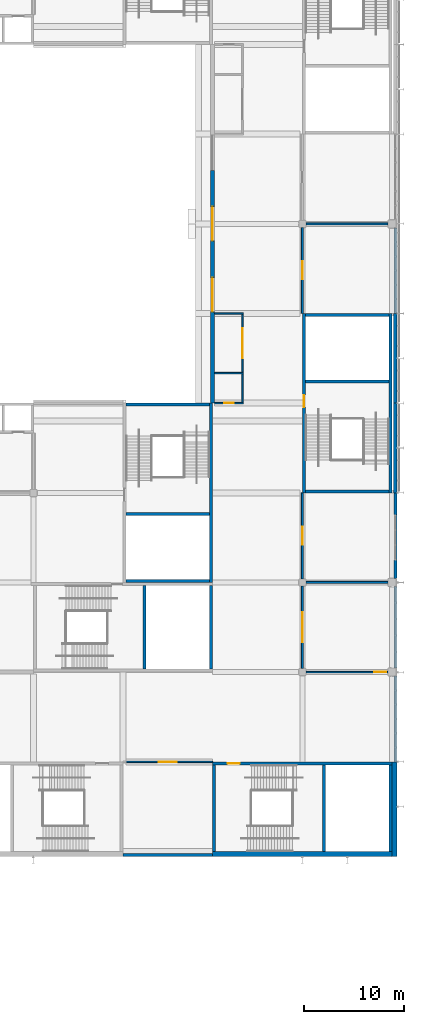
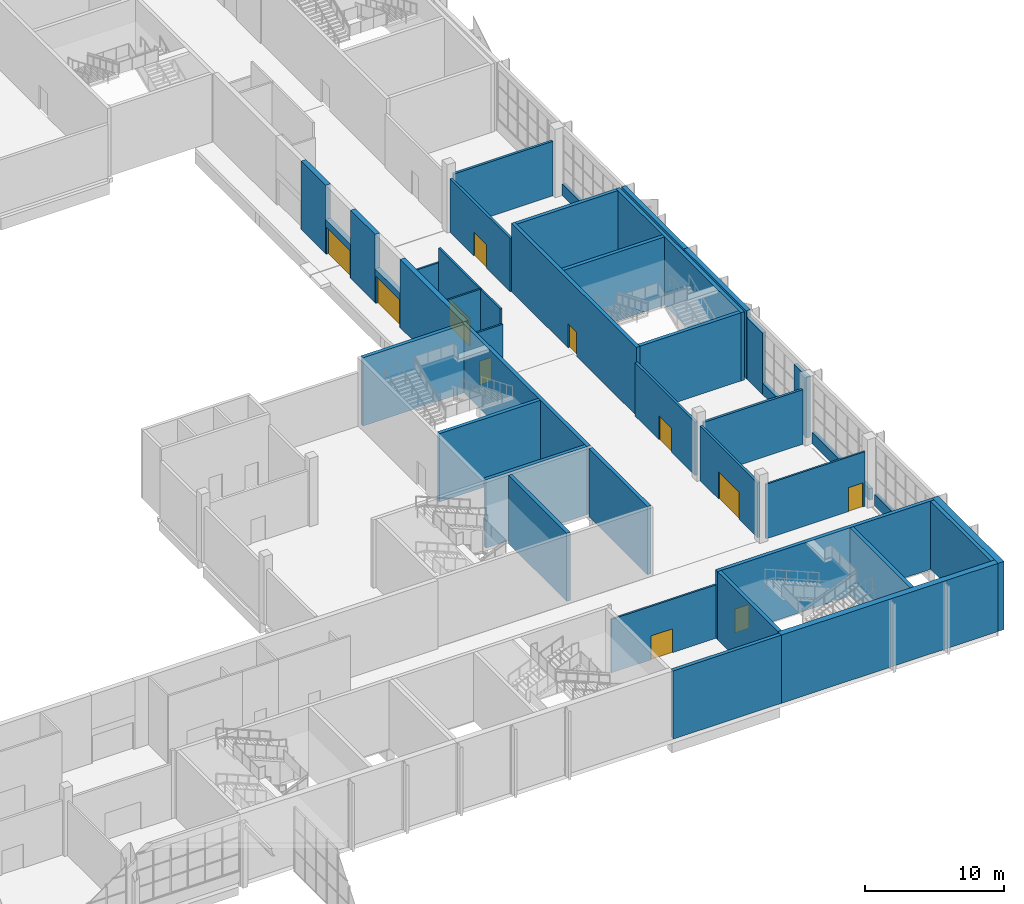
# One storey, part 45 of 89: 43 walls, 11 doors, 11 openings.
"""IFC4 building model written with IfcOpenShell, lengths in metres."""

import ifcopenshell
import ifcopenshell.guid

model = None  # the IFC model being written
_history = None  # IfcOwnerHistory: only IFC2X3 demands one
_inside = {}  # id of a spatial element -> (the spatial element, [elements in it])
_under = {}  # id of a project, library or spatial element -> (it, [spatial elements below it])
_declared = {}  # id of a project -> (the project, [libraries it declares])
_typed = {}  # id of a type object -> (the type object, [elements of that type])
_made_of = {}  # id of a material, layer set ... -> (it, [elements and type objects made of it])


def new_model(schema):
    """Start an empty IFC model of exactly this schema.

    Asked for "IFC4X3", IfcOpenShell would pick the latest addendum, in which some entities
    have other attributes; the version numbers below select the first issue.
    IFC2X3 requires an IfcOwnerHistory on every rooted entity: one is made here for all.
    """
    global model, _history
    if schema == "IFC4X3":
        model = ifcopenshell.file(schema_version=(4, 3, 0, 0))
    else:
        model = ifcopenshell.file(schema=schema)
    _inside.clear()
    _under.clear()
    _declared.clear()
    _typed.clear()
    _made_of.clear()
    _history = None
    if model.schema == "IFC2X3":
        org = make("IfcOrganization", Name="unknown")
        user = make(
            "IfcPersonAndOrganization",
            ThePerson=make("IfcPerson", FamilyName="unknown"),
            TheOrganization=org,
        )
        app = make(
            "IfcApplication",
            ApplicationDeveloper=org,
            Version="unknown",
            ApplicationFullName="unknown",
            ApplicationIdentifier="unknown",
        )
        _history = make(
            "IfcOwnerHistory",
            OwningUser=user,
            OwningApplication=app,
            ChangeAction="ADDED",
            CreationDate=0,
        )
    return model


def make(cls, **values):
    """One entity of the class cls with the attributes given. An attribute that is None is left unset."""
    return model.create_entity(
        cls, **{name: value for name, value in values.items() if value is not None}
    )


def rooted(cls, **values):
    """An entity with a GlobalId (a new one), such as an element, a storey or a relation."""
    return make(cls, GlobalId=ifcopenshell.guid.new(), OwnerHistory=_history, **values)


def si_unit(unit_type, name, prefix=None):
    """IfcSIUnit, for example si_unit("LENGTHUNIT", "METRE", prefix="MILLI")."""
    return make("IfcSIUnit", UnitType=unit_type, Prefix=prefix, Name=name)


def assignment(units):
    """IfcUnitAssignment: the units of a project."""
    return None if units is None else make("IfcUnitAssignment", Units=units)


def point(xyz):
    """IfcCartesianPoint."""
    return None if xyz is None else make("IfcCartesianPoint", Coordinates=xyz)


def direction(xyz):
    """IfcDirection."""
    return None if xyz is None else make("IfcDirection", DirectionRatios=xyz)


def frame(location, z_axis=None, x_axis=None):
    """IfcAxis2Placement3D, a coordinate frame: its origin and axes. An axis left out is left unset."""
    return make(
        "IfcAxis2Placement3D",
        Location=point(location),
        Axis=direction(z_axis),
        RefDirection=direction(x_axis),
    )


def frame_2d(location, x_axis=None):
    """IfcAxis2Placement2D, a coordinate frame in the plane: its origin and x axis."""
    return make(
        "IfcAxis2Placement2D", Location=point(location), RefDirection=direction(x_axis)
    )


def origin():
    """The frame at (0, 0, 0) with its axes left unset."""
    return frame((0.0, 0.0, 0.0))


def place(relative_to, where):
    """IfcLocalPlacement: puts the frame where relative to a parent placement (None: the world)."""
    return make(
        "IfcLocalPlacement", PlacementRelTo=relative_to, RelativePlacement=where
    )


def context(
    kind, dimensions, precision=None, world=None, true_north=None, identifier=None
):
    """IfcGeometricRepresentationContext, for example the 3D "Model" context."""
    return make(
        "IfcGeometricRepresentationContext",
        ContextIdentifier=identifier,
        ContextType=kind,
        CoordinateSpaceDimension=dimensions,
        Precision=precision,
        WorldCoordinateSystem=world,
        TrueNorth=true_north,
    )


def subcontext(parent, identifier, kind, view, scale=None):
    """IfcGeometricRepresentationSubContext, for example "Body" below "Model"."""
    return make(
        "IfcGeometricRepresentationSubContext",
        ContextIdentifier=identifier,
        ContextType=kind,
        ParentContext=parent,
        TargetScale=scale,
        TargetView=view,
    )


def project(units=None, contexts=None):
    """IfcProject with its units and contexts."""
    return rooted(
        "IfcProject",
        Name="project",
        RepresentationContexts=contexts,
        UnitsInContext=assignment(units),
    )


def spatial(cls, under=None, at=None, **own):
    """A site, building, storey or space (cls), placed at a placement, below another one or the project."""
    s = rooted(cls, ObjectPlacement=at, **own)
    if under is not None:
        _under.setdefault(under.id(), (under, []))[1].append(s)
    return s


def profile(cls, at=None, kind="AREA", **sizes):
    """A parametric profile (cls). Its sizes go by their IFC names, for example OverallWidth=200.0."""
    return make(cls, ProfileType=kind, Position=at, **sizes)


def rectangle(**sizes):
    """IfcRectangleProfileDef."""
    return profile("IfcRectangleProfileDef", **sizes)


def extrude(swept, where, along, depth):
    """IfcExtrudedAreaSolid: the profile swept, set in the frame where, extruded along a direction by depth."""
    return make(
        "IfcExtrudedAreaSolid",
        SweptArea=swept,
        Position=where,
        ExtrudedDirection=direction(along),
        Depth=depth,
    )


def shape(context_of_items, identifier, shape_type, items):
    """IfcShapeRepresentation: the items that make up one representation, for example the "Body"."""
    return make(
        "IfcShapeRepresentation",
        ContextOfItems=context_of_items,
        RepresentationIdentifier=identifier,
        RepresentationType=shape_type,
        Items=items,
    )


def material(Name=None, Category=None):
    """IfcMaterial."""
    return make("IfcMaterial", Name=Name, Category=Category)


def layer(
    of_material, thickness, ventilated=None, Name=None, Category=None, Priority=None
):
    """IfcMaterialLayer: one layer of a wall or slab, of a material (None: an air gap)."""
    return make(
        "IfcMaterialLayer",
        Material=of_material,
        LayerThickness=thickness,
        IsVentilated=ventilated,
        Name=Name,
        Category=Category,
        Priority=Priority,
    )


def layer_set(layers, Name=None):
    """IfcMaterialLayerSet."""
    return make("IfcMaterialLayerSet", MaterialLayers=layers, LayerSetName=Name)


def made_of(thing, what):
    """Note that an element or type object is made of a material, layer set ...; save() writes the relation."""
    if what is not None:
        _made_of.setdefault(what.id(), (what, []))[1].append(thing)
    return thing


def type_object(cls, material=None, **own):
    """A type object (cls), such as IfcWallType, which elements share."""
    return made_of(rooted(cls, **own), material)


def element(
    cls,
    number,
    at=None,
    inside=None,
    cuts=None,
    type_object=None,
    material=None,
    context=None,
    identifier="Body",
    shape_type=None,
    held_by="IfcProductDefinitionShape",
    body=None,
    shapes=None,
    **own,
):
    """One element of the class cls, such as IfcWall. Its Tag is "e" and its number.

    at: its placement. inside: the storey or other place that contains it. cuts: it is an
    opening in that element (IfcRelVoidsElement). A single representation is given by context,
    identifier, shape_type and body (its items); several are given by shapes. held_by: the class
    of the entity that holds the representations. save() writes the other relations.
    """
    e = rooted(cls, Tag="e%d" % number, ObjectPlacement=at, **own)
    if body is not None:
        shapes = [shape(context, identifier, shape_type, body)]
    if shapes is not None:
        e.Representation = make(held_by, Representations=shapes)
    if inside is not None:
        _inside.setdefault(inside.id(), (inside, []))[1].append(e)
    if cuts is not None:
        rooted(
            "IfcRelVoidsElement", RelatingBuildingElement=cuts, RelatedOpeningElement=e
        )
    if type_object is not None:
        _typed.setdefault(type_object.id(), (type_object, []))[1].append(e)
    return made_of(e, material)


def fill(opening, filler):
    """IfcRelFillsElement: the door or window that sits in an opening."""
    return rooted(
        "IfcRelFillsElement",
        RelatingOpeningElement=opening,
        RelatedBuildingElement=filler,
    )


def aggregate(whole, parts):
    """IfcRelAggregates: a whole, such as a stair, and the parts it consists of."""
    return rooted("IfcRelAggregates", RelatingObject=whole, RelatedObjects=parts)


def save(model, path):
    """Write the relations noted so far, then the file.

    IfcRelAggregates (storeys below a building ...), IfcRelContainedInSpatialStructure (elements
    in a storey), IfcRelDefinesByType, IfcRelAssociatesMaterial and IfcRelDeclares: one each for
    every whole, place, type object, material and project.
    """
    for whole, parts in _under.values():
        aggregate(whole, parts)
    for where, things in _inside.values():
        rooted(
            "IfcRelContainedInSpatialStructure",
            RelatedElements=things,
            RelatingStructure=where,
        )
    for kind, things in _typed.values():
        rooted("IfcRelDefinesByType", RelatedObjects=things, RelatingType=kind)
    for what, things in _made_of.values():
        rooted("IfcRelAssociatesMaterial", RelatedObjects=things, RelatingMaterial=what)
    for by, libraries in _declared.values():
        rooted("IfcRelDeclares", RelatingContext=by, RelatedDefinitions=libraries)
    model.write(path)


model = new_model("IFC4")

# Units and contexts
model_context = context("Model", 3, precision=1e-05, world=origin(), true_north=direction((0.0, 1.0)))
body_context = subcontext(model_context, "Body", "Model", "MODEL_VIEW")
ifc_project = project(units=[si_unit("LENGTHUNIT", "METRE"), si_unit("AREAUNIT", "SQUARE_METRE"), si_unit("VOLUMEUNIT", "CUBIC_METRE"), si_unit("PLANEANGLEUNIT", "RADIAN"), si_unit("MASSUNIT", "GRAM", prefix="KILO")], contexts=[model_context])

# Site, building, storey
site_placement = place(None, origin())
site = spatial("IfcSite", under=ifc_project, at=site_placement, CompositionType="ELEMENT")
building_placement = place(site_placement, origin())
building = spatial("IfcBuilding", under=site, at=building_placement, Name="Silverbay Arena", CompositionType="ELEMENT")
storey_placement = place(building_placement, frame((0.0, 0.0, 22.0)))
storey = spatial("IfcBuildingStorey", under=building, at=storey_placement, Name="L03", CompositionType="ELEMENT", Elevation=22.0)

# Wall, opening, door
ifc_material_1 = material(Name="Concrete Grade C45", Category="concrete")
ifc_layer_1 = layer(ifc_material_1, 0.39990234375)
ifc_layer_set_1 = layer_set([ifc_layer_1], Name="Concrete Grade C45")
wall_type_1 = type_object("IfcWallType", Name="Bowl enclosure wall RC 400 EI 120", PredefinedType="SOLIDWALL", material=ifc_layer_set_1)
wall_1_placement = place(storey_placement, frame((189.0, 79.199951171875, 0.0), z_axis=(0.0, 0.0, 1.0), x_axis=(0.0, 1.0, 0.0)))
wall_1 = element("IfcWall", 1, at=wall_1_placement, inside=storey, type_object=wall_type_1, Name="portal vomitory E 81", PredefinedType="SOLIDWALL", context=body_context, shape_type="SweptSolid", body=[
    extrude(rectangle(XDim=3.60009765625, YDim=0.39990234375, at=frame_2d((1.800048828125, 0.0))), origin(), (0.0, 0.0, 1.0), 3.0),
])
opening_1_placement = place(wall_1_placement, frame((0.10009765625, 0.0, 0.0)))
opening_1 = element("IfcOpeningElement", 2, at=opening_1_placement, cuts=wall_1, Name="Opening L03-098", PredefinedType="OPENING", context=body_context, shape_type="SweptSolid", body=[
    extrude(rectangle(XDim=3.39990234375, YDim=2.39990234375, at=frame_2d((1.699951171875, 1.199951171875))), frame((0.0, 0.2099609375, 0.0), z_axis=(0.0, -1.0, 0.0), x_axis=(1.0, 0.0, 0.0)), (0.0, 0.0, 1.0), 0.419921875),
])
ifc_material_2 = material(Name="Steel", Category="steel")
door_type_1 = type_object("IfcDoorType", Name="Fire door set 3400 x 2400 FD120S portal", OperationType="DOUBLE_DOOR_SINGLE_SWING", PredefinedType="DOOR", material=ifc_material_2)
door_1_placement = place(opening_1_placement, frame((3.39990234375, 0.0, 0.0), z_axis=(0.0, 0.0, 1.0), x_axis=(-1.0, 0.0, 0.0)))
door_1 = element("IfcDoor", 3, at=door_1_placement, inside=storey, type_object=door_type_1, Name="Fire door set L03 portal vomitory E 81", OperationType="DOUBLE_DOOR_SINGLE_SWING", OverallHeight=2.39990234375, OverallWidth=3.39990234375, PredefinedType="DOOR", context=body_context, shape_type="SweptSolid", body=[
    extrude(rectangle(XDim=3.39990234375, YDim=2.39990234375, at=frame_2d((1.699951171875, 1.199951171875))), frame((0.0, 0.02490234375, 0.0), z_axis=(0.0, -1.0, 0.0), x_axis=(1.0, 0.0, 0.0)), (0.0, 0.0, 1.0), 0.050048828125),
])
fill(opening_1, door_1)

wall_2_placement = place(storey_placement, frame((189.0, 72.074951171875, 0.0), z_axis=(0.0, 0.0, 1.0), x_axis=(0.0, 1.0, 0.0)))
wall_2 = element("IfcWall", 4, at=wall_2_placement, inside=storey, type_object=wall_type_1, Name="portal stand E 73.875", PredefinedType="SOLIDWALL", context=body_context, shape_type="SweptSolid", body=[
    extrude(rectangle(XDim=3.60009765625, YDim=0.39990234375, at=frame_2d((1.800048828125, 0.0))), origin(), (0.0, 0.0, 1.0), 3.0),
])
opening_2_placement = place(wall_2_placement, frame((0.10009765625, 0.0, 0.0)))
opening_2 = element("IfcOpeningElement", 5, at=opening_2_placement, cuts=wall_2, Name="Opening L03-105", PredefinedType="OPENING", context=body_context, shape_type="SweptSolid", body=[
    extrude(rectangle(XDim=3.39990234375, YDim=2.39990234375, at=frame_2d((1.699951171875, 1.199951171875))), frame((0.0, 0.2099609375, 0.0), z_axis=(0.0, -1.0, 0.0), x_axis=(1.0, 0.0, 0.0)), (0.0, 0.0, 1.0), 0.419921875),
])
door_2_placement = place(opening_2_placement, frame((3.39990234375, 0.0, 0.0), z_axis=(0.0, 0.0, 1.0), x_axis=(-1.0, 0.0, 0.0)))
door_2 = element("IfcDoor", 6, at=door_2_placement, inside=storey, type_object=door_type_1, Name="Fire door set L03 portal stand E 73.875", OperationType="DOUBLE_DOOR_SINGLE_SWING", OverallHeight=2.39990234375, OverallWidth=3.39990234375, PredefinedType="DOOR", context=body_context, shape_type="SweptSolid", body=[
    extrude(rectangle(XDim=3.39990234375, YDim=2.39990234375, at=frame_2d((1.699951171875, 1.199951171875))), frame((0.0, 0.02490234375, 0.0), z_axis=(0.0, -1.0, 0.0), x_axis=(1.0, 0.0, 0.0)), (0.0, 0.0, 1.0), 0.050048828125),
])
fill(opening_2, door_2)

# Walls
ifc_material_3 = material(Name="Concrete Grade C45 precast, light finish", Category="concrete")
ifc_layer_2 = layer(ifc_material_3, 0.300048828125)
ifc_layer_set_2 = layer_set([ifc_layer_2], Name="Concrete Grade C45 precast, light finish")
wall_type_2 = type_object("IfcWallType", Name="Cladded external wall 300", PredefinedType="SOLIDWALL", material=ifc_layer_set_2)
wall_3_placement = place(storey_placement, frame((180.0, 17.64990234375, 0.0), z_axis=(0.0, 0.0, 1.0), x_axis=(1.0, 0.0, 0.0)))
element("IfcWall", 7, at=wall_3_placement, inside=storey, type_object=wall_type_2, Name="South external wall L03 bay 15", PredefinedType="SOLIDWALL", context=body_context, shape_type="SweptSolid", body=[
    extrude(rectangle(XDim=9.0, YDim=0.300048828125, at=frame_2d((4.5, 0.0))), origin(), (0.0, 0.0, 1.0), 6.0),
])
wall_4_placement = place(storey_placement, frame((207.35009765625, 27.0, 0.0), z_axis=(0.0, 0.0, 1.0), x_axis=(0.0, 1.0, 0.0)))
element("IfcWall", 8, at=wall_4_placement, inside=storey, type_object=wall_type_2, Name="East sill wall L03 bay 2", PredefinedType="SOLIDWALL", context=body_context, shape_type="SweptSolid", body=[
    extrude(rectangle(XDim=8.60009765625, YDim=0.300048828125, at=frame_2d((4.300048828125, 0.0))), origin(), (0.0, 0.0, 1.0), 1.0),
])
wall_5_placement = place(storey_placement, frame((207.35009765625, 36.39990234375, 0.0), z_axis=(0.0, 0.0, 1.0), x_axis=(0.0, 1.0, 0.0)))
element("IfcWall", 9, at=wall_5_placement, inside=storey, type_object=wall_type_2, Name="East sill wall L03 bay 3", PredefinedType="SOLIDWALL", context=body_context, shape_type="SweptSolid", body=[
    extrude(rectangle(XDim=8.2001953125, YDim=0.300048828125, at=frame_2d((4.10009765625, 0.0))), origin(), (0.0, 0.0, 1.0), 1.0),
])
wall_6_placement = place(storey_placement, frame((207.35009765625, 45.39990234375, 0.0), z_axis=(0.0, 0.0, 1.0), x_axis=(0.0, 1.0, 0.0)))
element("IfcWall", 10, at=wall_6_placement, inside=storey, type_object=wall_type_2, Name="East external wall L03 bay 4 pier", PredefinedType="SOLIDWALL", context=body_context, shape_type="SweptSolid", body=[
    extrude(rectangle(XDim=1.85009765625, YDim=0.300048828125, at=frame_2d((0.925048828125, 0.0))), origin(), (0.0, 0.0, 1.0), 5.39990234375),
])
wall_7_placement = place(storey_placement, frame((207.35009765625, 51.75, 0.0), z_axis=(0.0, 0.0, 1.0), x_axis=(0.0, 1.0, 0.0)))
element("IfcWall", 11, at=wall_7_placement, inside=storey, type_object=wall_type_2, Name="East external wall L03 bay 4 pier", PredefinedType="SOLIDWALL", context=body_context, shape_type="SweptSolid", body=[
    extrude(rectangle(XDim=2.25, YDim=0.300048828125, at=frame_2d((1.125, 0.0))), origin(), (0.0, 0.0, 1.0), 5.39990234375),
])
wall_8_placement = place(storey_placement, frame((207.35009765625, 47.25, 0.0), z_axis=(0.0, 0.0, 1.0), x_axis=(0.0, 1.0, 0.0)))
element("IfcWall", 12, at=wall_8_placement, inside=storey, type_object=wall_type_2, Name="East external wall L03 bay 4 sill wall", PredefinedType="SOLIDWALL", context=body_context, shape_type="SweptSolid", body=[
    extrude(rectangle(XDim=4.5, YDim=0.300048828125, at=frame_2d((2.25, 0.0))), origin(), (0.0, 0.0, 1.0), 1.0),
])
wall_9_placement = place(storey_placement, frame((207.35009765625, 72.0, 0.0), z_axis=(0.0, 0.0, 1.0), x_axis=(0.0, 1.0, 0.0)))
element("IfcWall", 13, at=wall_9_placement, inside=storey, type_object=wall_type_2, Name="East sill wall L03 bay 7", PredefinedType="SOLIDWALL", context=body_context, shape_type="SweptSolid", body=[
    extrude(rectangle(XDim=8.60009765625, YDim=0.300048828125, at=frame_2d((4.300048828125, 0.0))), origin(), (0.0, 0.0, 1.0), 1.0),
])

# Wall, opening, door
ifc_material_4 = material(Name="Concrete Grade C45", Category="concrete")
ifc_layer_3 = layer(ifc_material_4, 0.300048828125)
ifc_layer_set_3 = layer_set([ifc_layer_3], Name="Concrete Grade C45")
wall_type_3 = type_object("IfcWallType", Name="Core wall RC 300 EI 120", PredefinedType="SHEAR", material=ifc_layer_set_3)
wall_10_placement = place(storey_placement, frame((189.0, 26.85009765625, 0.0), z_axis=(0.0, 0.0, 1.0), x_axis=(1.0, 0.0, 0.0)))
wall_10 = element("IfcWall", 14, at=wall_10_placement, inside=storey, type_object=wall_type_3, Name="Core wall ST-S6 L03 door side", PredefinedType="SHEAR", context=body_context, shape_type="SweptSolid", body=[
    extrude(rectangle(XDim=18.0, YDim=0.300048828125, at=frame_2d((9.0, 0.0))), origin(), (0.0, 0.0, 1.0), 6.0),
])
opening_3_placement = place(wall_10_placement, frame((1.5, 0.0, 0.0)))
opening_3 = element("IfcOpeningElement", 15, at=opening_3_placement, cuts=wall_10, Name="Opening L03-062", PredefinedType="OPENING", context=body_context, shape_type="SweptSolid", body=[
    extrude(rectangle(XDim=1.199951171875, YDim=2.10009765625, at=frame_2d((0.60009765625, 1.050048828125))), frame((0.0, 0.16015625, 0.0), z_axis=(0.0, -1.0, 0.0), x_axis=(1.0, 0.0, 0.0)), (0.0, 0.0, 1.0), 0.320068359375),
])
ifc_material_5 = material(Name="Steel fire door", Category="steel")
door_type_2 = type_object("IfcDoorType", Name="Stair door 1200 x 2100 fire door", OperationType="SINGLE_SWING_LEFT", PredefinedType="DOOR", material=ifc_material_5)
door_3_placement = place(opening_3_placement, frame((1.199951171875, 0.0, 0.0), z_axis=(0.0, 0.0, 1.0), x_axis=(-1.0, 0.0, 0.0)))
door_3 = element("IfcDoor", 16, at=door_3_placement, inside=storey, type_object=door_type_2, Name="Stair door ST-S6 L03", OperationType="SINGLE_SWING_RIGHT", OverallHeight=2.10009765625, OverallWidth=1.199951171875, PredefinedType="DOOR", context=body_context, shape_type="SweptSolid", body=[
    extrude(rectangle(XDim=1.199951171875, YDim=2.10009765625, at=frame_2d((0.60009765625, 1.050048828125))), frame((0.0, 0.02490234375, 0.0), z_axis=(0.0, -1.0, 0.0), x_axis=(1.0, 0.0, 0.0)), (0.0, 0.0, 1.0), 0.050048828125),
])
fill(opening_3, door_3)

# Walls
for number, where, z_axis, x_axis, name in (
    (17, (189.14990234375, 26.699951171875, 0.0), (0.0, 0.0, 1.0), (0.0, -1.0, 0.0), "Core wall ST-S6 L03 end 1"),
    (18, (206.85009765625, 26.699951171875, 0.0), (0.0, 0.0, 1.0), (0.0, -1.0, 0.0), "Core wall ST-S6 L03 end 2"),
    (19, (200.14990234375, 26.699951171875, 0.0), (0.0, 0.0, 1.0), (0.0, -1.0, 0.0), "Core wall ST-S6 L03 stair enclosure"),
):
    element("IfcWall", number, at=place(storey_placement, frame(where, z_axis=z_axis, x_axis=x_axis)), inside=storey, type_object=wall_type_3, Name=name, PredefinedType="SHEAR", context=body_context, shape_type="SweptSolid", body=[
        extrude(rectangle(XDim=8.699951171875, YDim=0.300048828125, at=frame_2d((4.35009765625, 0.0))), origin(), (0.0, 0.0, 1.0), 6.0),
    ])

# Wall, opening, door
wall_11_placement = place(storey_placement, frame((198.14990234375, 54.0, 0.0), z_axis=(0.0, 0.0, 1.0), x_axis=(0.0, 1.0, 0.0)))
wall_11 = element("IfcWall", 20, at=wall_11_placement, inside=storey, type_object=wall_type_3, Name="Core wall ST-E1 L03 door side", PredefinedType="SHEAR", context=body_context, shape_type="SweptSolid", body=[
    extrude(rectangle(XDim=18.0, YDim=0.300048828125, at=frame_2d((9.0, 0.0))), origin(), (0.0, 0.0, 1.0), 6.0),
])
opening_4_placement = place(wall_11_placement, frame((8.60009765625, 0.0, 0.0)))
opening_4 = element("IfcOpeningElement", 21, at=opening_4_placement, cuts=wall_11, Name="Opening L03-067", PredefinedType="OPENING", context=body_context, shape_type="SweptSolid", body=[
    extrude(rectangle(XDim=1.199951171875, YDim=2.10009765625, at=frame_2d((0.60009765625, 1.050048828125))), frame((0.0, 0.16015625, 0.0), z_axis=(0.0, -1.0, 0.0), x_axis=(1.0, 0.0, 0.0)), (0.0, 0.0, 1.0), 0.320068359375),
])
door_4_placement = place(opening_4_placement, frame((1.199951171875, 0.0, 0.0), z_axis=(0.0, 0.0, 1.0), x_axis=(-1.0, 0.0, 0.0)))
door_4 = element("IfcDoor", 22, at=door_4_placement, inside=storey, type_object=door_type_2, Name="Stair door ST-E1 L03", OperationType="SINGLE_SWING_LEFT", OverallHeight=2.10009765625, OverallWidth=1.199951171875, PredefinedType="DOOR", context=body_context, shape_type="SweptSolid", body=[
    extrude(rectangle(XDim=1.199951171875, YDim=2.10009765625, at=frame_2d((0.60009765625, 1.050048828125))), frame((0.0, 0.02490234375, 0.0), z_axis=(0.0, -1.0, 0.0), x_axis=(1.0, 0.0, 0.0)), (0.0, 0.0, 1.0), 0.050048828125),
])
fill(opening_4, door_4)

# Walls
wall_12_placement = place(storey_placement, frame((206.85009765625, 54.0, 0.0), z_axis=(0.0, 0.0, 1.0), x_axis=(0.0, 1.0, 0.0)))
element("IfcWall", 23, at=wall_12_placement, inside=storey, type_object=wall_type_3, Name="Core wall ST-E1 L03 far side", PredefinedType="SHEAR", context=body_context, shape_type="SweptSolid", body=[
    extrude(rectangle(XDim=18.0, YDim=0.300048828125, at=frame_2d((9.0, 0.0))), origin(), (0.0, 0.0, 1.0), 6.0),
])
for number, where, z_axis, x_axis, name in (
    (24, (198.300048828125, 54.14990234375, 0.0), (0.0, 0.0, 1.0), (1.0, 0.0, 0.0), "Core wall ST-E1 L03 end 1"),
    (25, (198.300048828125, 71.85009765625, 0.0), (0.0, 0.0, 1.0), (1.0, 0.0, 0.0), "Core wall ST-E1 L03 end 2"),
    (26, (198.300048828125, 65.14990234375, 0.0), (0.0, 0.0, 1.0), (1.0, 0.0, 0.0), "Core wall ST-E1 L03 stair enclosure"),
    (27, (188.85009765625, 44.699951171875, 0.0), (0.0, 0.0, 1.0), (0.0, -1.0, 0.0), "Core wall ST-SE1 L03 end 2"),
    (28, (182.14990234375, 44.699951171875, 0.0), (0.0, 0.0, 1.0), (0.0, -1.0, 0.0), "Core wall ST-SE1 L03 stair enclosure"),
):
    element("IfcWall", number, at=place(storey_placement, frame(where, z_axis=z_axis, x_axis=x_axis)), inside=storey, type_object=wall_type_3, Name=name, PredefinedType="SHEAR", context=body_context, shape_type="SweptSolid", body=[
        extrude(rectangle(XDim=8.39990234375, YDim=0.300048828125, at=frame_2d((4.199951171875, 0.0))), origin(), (0.0, 0.0, 1.0), 6.0),
    ])
wall_13_placement = place(storey_placement, frame((188.85009765625, 63.0, 0.0), z_axis=(0.0, 0.0, 1.0), x_axis=(0.0, -1.0, 0.0)))
element("IfcWall", 29, at=wall_13_placement, inside=storey, type_object=wall_type_3, Name="Core wall ST-SE2 L03 far side", PredefinedType="SHEAR", context=body_context, shape_type="SweptSolid", body=[
    extrude(rectangle(XDim=18.0, YDim=0.300048828125, at=frame_2d((9.0, 0.0))), origin(), (0.0, 0.0, 1.0), 6.0),
])
for number, where, z_axis, x_axis, name in (
    (30, (180.300048828125, 62.85009765625, 0.0), (0.0, 0.0, 1.0), (1.0, 0.0, 0.0), "Core wall ST-SE2 L03 end 1"),
    (31, (180.300048828125, 45.14990234375, 0.0), (0.0, 0.0, 1.0), (1.0, 0.0, 0.0), "Core wall ST-SE2 L03 end 2"),
    (32, (180.300048828125, 51.85009765625, 0.0), (0.0, 0.0, 1.0), (1.0, 0.0, 0.0), "Core wall ST-SE2 L03 stair enclosure"),
):
    element("IfcWall", number, at=place(storey_placement, frame(where, z_axis=z_axis, x_axis=x_axis)), inside=storey, type_object=wall_type_3, Name=name, PredefinedType="SHEAR", context=body_context, shape_type="SweptSolid", body=[
        extrude(rectangle(XDim=8.39990234375, YDim=0.300048828125, at=frame_2d((4.199951171875, 0.0))), origin(), (0.0, 0.0, 1.0), 6.0),
    ])
ifc_material_6 = material(Name="Concrete Grade C45", Category="concrete")
ifc_layer_4 = layer(ifc_material_6, 0.5)
ifc_layer_set_4 = layer_set([ifc_layer_4], Name="Concrete Grade C45")
wall_type_4 = type_object("IfcWallType", Name="Core wall RC 500 external EI 120", PredefinedType="SHEAR", material=ifc_layer_set_4)
wall_14_placement = place(storey_placement, frame((189.0, 17.75, 0.0), z_axis=(0.0, 0.0, 1.0), x_axis=(1.0, 0.0, 0.0)))
element("IfcWall", 33, at=wall_14_placement, inside=storey, type_object=wall_type_4, Name="Core wall ST-S6 L03 facade side", PredefinedType="SHEAR", context=body_context, shape_type="SweptSolid", body=[
    extrude(rectangle(XDim=18.0, YDim=0.5, at=frame_2d((9.0, 0.0))), origin(), (0.0, 0.0, 1.0), 6.0),
])

# Wall, opening, door
ifc_material_7 = material(Name="Gypsum board partition on steel studs", Category="steel")
ifc_layer_5 = layer(ifc_material_7, 0.14990234375)
ifc_layer_set_5 = layer_set([ifc_layer_5], Name="Gypsum board partition on steel studs")
wall_type_5 = type_object("IfcWallType", Name="Partition 150 EI 60", PredefinedType="PARTITIONING", material=ifc_layer_set_5)
wall_15_placement = place(storey_placement, frame((180.300048828125, 27.0, 0.0), z_axis=(0.0, 0.0, 1.0), x_axis=(1.0, 0.0, 0.0)))
wall_15 = element("IfcWall", 34, at=wall_15_placement, inside=storey, type_object=wall_type_5, Name="Partition wall", PredefinedType="PARTITIONING", context=body_context, shape_type="SweptSolid", body=[
    extrude(rectangle(XDim=8.699951171875, YDim=0.14990234375, at=frame_2d((4.35009765625, 0.0))), origin(), (0.0, 0.0, 1.0), 4.699951171875),
])
opening_5_placement = place(wall_15_placement, frame((3.300048828125, 0.0, 0.0)))
opening_5 = element("IfcOpeningElement", 35, at=opening_5_placement, cuts=wall_15, Name="Opening L03-005", PredefinedType="OPENING", context=body_context, shape_type="SweptSolid", body=[
    extrude(rectangle(XDim=1.800048828125, YDim=2.10009765625, at=frame_2d((0.89990234375, 1.050048828125))), frame((0.0, 0.0849609375, 0.0), z_axis=(0.0, -1.0, 0.0), x_axis=(1.0, 0.0, 0.0)), (0.0, 0.0, 1.0), 0.169921875),
])
ifc_material_8 = material(Name="Steel faced timber", Category="steel")
door_type_3 = type_object("IfcDoorType", Name="Double leaf door 1800 x 2100 FD30S", OperationType="DOUBLE_DOOR_DOUBLE_SWING", PredefinedType="DOOR", material=ifc_material_8)
door_5_placement = place(opening_5_placement, frame((1.800048828125, 0.0, 0.0), z_axis=(0.0, 0.0, 1.0), x_axis=(-1.0, 0.0, 0.0)))
door_5 = element("IfcDoor", 36, at=door_5_placement, inside=storey, type_object=door_type_3, Name="Door L03-005", OperationType="DOUBLE_DOOR_DOUBLE_SWING", OverallHeight=2.10009765625, OverallWidth=1.800048828125, PredefinedType="DOOR", context=body_context, shape_type="SweptSolid", body=[
    extrude(rectangle(XDim=1.800048828125, YDim=2.10009765625, at=frame_2d((0.89990234375, 1.050048828125))), frame((0.0, 0.02490234375, 0.0), z_axis=(0.0, -1.0, 0.0), x_axis=(1.0, 0.0, 0.0)), (0.0, 0.0, 1.0), 0.050048828125),
])
fill(opening_5, door_5)

wall_16_placement = place(storey_placement, frame((198.35009765625, 36.0, 0.0), z_axis=(0.0, 0.0, 1.0), x_axis=(1.0, 0.0, 0.0)))
wall_16 = element("IfcWall", 37, at=wall_16_placement, inside=storey, type_object=wall_type_5, Name="Partition wall", PredefinedType="PARTITIONING", context=body_context, shape_type="SweptSolid", body=[
    extrude(rectangle(XDim=8.25, YDim=0.14990234375, at=frame_2d((4.125, 0.0))), origin(), (0.0, 0.0, 1.0), 4.800048828125),
])
opening_6_placement = place(wall_16_placement, frame((6.85009765625, 0.0, 0.0)))
opening_6 = element("IfcOpeningElement", 38, at=opening_6_placement, cuts=wall_16, Name="Opening L03-052", PredefinedType="OPENING", context=body_context, shape_type="SweptSolid", body=[
    extrude(rectangle(XDim=1.199951171875, YDim=2.10009765625, at=frame_2d((0.60009765625, 1.050048828125))), frame((0.0, 0.0849609375, 0.0), z_axis=(0.0, -1.0, 0.0), x_axis=(1.0, 0.0, 0.0)), (0.0, 0.0, 1.0), 0.169921875),
])
ifc_material_9 = material(Name="Steel faced timber", Category="steel")
door_type_4 = type_object("IfcDoorType", Name="Single leaf door 1200 x 2100 FD30S", OperationType="SINGLE_SWING_LEFT", PredefinedType="DOOR", material=ifc_material_9)
door_6_placement = place(opening_6_placement, origin())
door_6 = element("IfcDoor", 39, at=door_6_placement, inside=storey, type_object=door_type_4, Name="Door L03-052", OperationType="SINGLE_SWING_RIGHT", OverallHeight=2.10009765625, OverallWidth=1.199951171875, PredefinedType="DOOR", context=body_context, shape_type="SweptSolid", body=[
    extrude(rectangle(XDim=1.199951171875, YDim=2.10009765625, at=frame_2d((0.60009765625, 1.050048828125))), frame((0.0, 0.02490234375, 0.0), z_axis=(0.0, -1.0, 0.0), x_axis=(1.0, 0.0, 0.0)), (0.0, 0.0, 1.0), 0.050048828125),
])
fill(opening_6, door_6)

wall_17_placement = place(storey_placement, frame((189.199951171875, 63.0, 0.0), z_axis=(0.0, 0.0, 1.0), x_axis=(1.0, 0.0, 0.0)))
wall_17 = element("IfcWall", 40, at=wall_17_placement, inside=storey, type_object=wall_type_5, Name="Partition wall", PredefinedType="PARTITIONING", context=body_context, shape_type="SweptSolid", body=[
    extrude(rectangle(XDim=2.875, YDim=0.14990234375, at=frame_2d((1.4375, 0.0))), origin(), (0.0, 0.0, 1.0), 4.699951171875),
])
opening_7_placement = place(wall_17_placement, frame((0.93798828125, 0.0, 0.0)))
opening_7 = element("IfcOpeningElement", 41, at=opening_7_placement, cuts=wall_17, Name="Opening L03-043", PredefinedType="OPENING", context=body_context, shape_type="SweptSolid", body=[
    extrude(rectangle(XDim=1.0, YDim=2.10009765625, at=frame_2d((0.5, 1.050048828125))), frame((0.0, 0.0849609375, 0.0), z_axis=(0.0, -1.0, 0.0), x_axis=(1.0, 0.0, 0.0)), (0.0, 0.0, 1.0), 0.169921875),
])
ifc_material_10 = material(Name="Steel faced timber", Category="steel")
door_type_5 = type_object("IfcDoorType", Name="Single leaf door 1000 x 2100 FD30S", OperationType="SINGLE_SWING_LEFT", PredefinedType="DOOR", material=ifc_material_10)
door_7_placement = place(opening_7_placement, origin())
door_7 = element("IfcDoor", 42, at=door_7_placement, inside=storey, type_object=door_type_5, Name="Door L03-043", OperationType="SINGLE_SWING_LEFT", OverallHeight=2.10009765625, OverallWidth=1.0, PredefinedType="DOOR", context=body_context, shape_type="SweptSolid", body=[
    extrude(rectangle(XDim=1.0, YDim=2.10009765625, at=frame_2d((0.5, 1.050048828125))), frame((0.0, 0.02490234375, 0.0), z_axis=(0.0, -1.0, 0.0), x_axis=(1.0, 0.0, 0.0)), (0.0, 0.0, 1.0), 0.050048828125),
])
fill(opening_7, door_7)

# Walls
wall_18_placement = place(storey_placement, frame((189.199951171875, 66.0, 0.0), z_axis=(0.0, 0.0, 1.0), x_axis=(1.0, 0.0, 0.0)))
element("IfcWall", 43, at=wall_18_placement, inside=storey, type_object=wall_type_5, Name="Partition wall", PredefinedType="PARTITIONING", context=body_context, shape_type="SweptSolid", body=[
    extrude(rectangle(XDim=2.875, YDim=0.14990234375, at=frame_2d((1.4375, 0.0))), origin(), (0.0, 0.0, 1.0), 6.0),
])
wall_19_placement = place(storey_placement, frame((189.199951171875, 72.0, 0.0), z_axis=(0.0, 0.0, 1.0), x_axis=(1.0, 0.0, 0.0)))
element("IfcWall", 44, at=wall_19_placement, inside=storey, type_object=wall_type_5, Name="Partition wall", PredefinedType="PARTITIONING", context=body_context, shape_type="SweptSolid", body=[
    extrude(rectangle(XDim=2.875, YDim=0.14990234375, at=frame_2d((1.4375, 0.0))), origin(), (0.0, 0.0, 1.0), 4.699951171875),
])
wall_20_placement = place(storey_placement, frame((192.0, 63.074951171875, 0.0), z_axis=(0.0, 0.0, 1.0), x_axis=(0.0, 1.0, 0.0)))
element("IfcWall", 45, at=wall_20_placement, inside=storey, type_object=wall_type_5, Name="Partition wall", PredefinedType="PARTITIONING", context=body_context, shape_type="SweptSolid", body=[
    extrude(rectangle(XDim=2.85009765625, YDim=0.14990234375, at=frame_2d((1.425048828125, 0.0))), origin(), (0.0, 0.0, 1.0), 6.0),
])

# Wall, opening, door
wall_21_placement = place(storey_placement, frame((192.0, 66.074951171875, 0.0), z_axis=(0.0, 0.0, 1.0), x_axis=(0.0, 1.0, 0.0)))
wall_21 = element("IfcWall", 46, at=wall_21_placement, inside=storey, type_object=wall_type_5, Name="Partition wall", PredefinedType="PARTITIONING", context=body_context, shape_type="SweptSolid", body=[
    extrude(rectangle(XDim=5.85009765625, YDim=0.14990234375, at=frame_2d((2.925048828125, 0.0))), origin(), (0.0, 0.0, 1.0), 6.0),
])
opening_8_placement = place(wall_21_placement, frame((1.425048828125, 0.0, 0.0)))
opening_8 = element("IfcOpeningElement", 47, at=opening_8_placement, cuts=wall_21, Name="Opening L03-044", PredefinedType="OPENING", context=body_context, shape_type="SweptSolid", body=[
    extrude(rectangle(XDim=3.0, YDim=2.39990234375, at=frame_2d((1.5, 1.199951171875))), frame((0.0, 0.0849609375, 0.0), z_axis=(0.0, -1.0, 0.0), x_axis=(1.0, 0.0, 0.0)), (0.0, 0.0, 1.0), 0.169921875),
])
ifc_material_11 = material(Name="Steel", Category="steel")
door_type_6 = type_object("IfcDoorType", Name="Roller shutter 3000 x 2400 FD30S", OperationType="ROLLINGUP", PredefinedType="DOOR", material=ifc_material_11)
door_8_placement = place(opening_8_placement, origin())
door_8 = element("IfcDoor", 48, at=door_8_placement, inside=storey, type_object=door_type_6, Name="Door L03-044", OperationType="ROLLINGUP", OverallHeight=2.39990234375, OverallWidth=3.0, PredefinedType="DOOR", context=body_context, shape_type="SweptSolid", body=[
    extrude(rectangle(XDim=3.0, YDim=2.39990234375, at=frame_2d((1.5, 1.199951171875))), frame((0.0, 0.02490234375, 0.0), z_axis=(0.0, -1.0, 0.0), x_axis=(1.0, 0.0, 0.0)), (0.0, 0.0, 1.0), 0.050048828125),
])
fill(opening_8, door_8)

# Walls
ifc_material_12 = material(Name="Masonry blockwork partition", Category="masonry")
ifc_layer_6 = layer(ifc_material_12, 0.199951171875)
ifc_layer_set_6 = layer_set([ifc_layer_6], Name="Masonry blockwork partition")
wall_type_6 = type_object("IfcWallType", Name="Partition 200 EI 120", PredefinedType="PARTITIONING", material=ifc_layer_set_6)
for number, where, z_axis, x_axis, name in (
    (49, (198.35009765625, 45.0, 0.0), (0.0, 0.0, 1.0), (1.0, 0.0, 0.0), "Partition wall"),
    (50, (198.35009765625, 81.0, 0.0), (0.0, 0.0, 1.0), (1.0, 0.0, 0.0), "Partition wall"),
):
    element("IfcWall", number, at=place(storey_placement, frame(where, z_axis=z_axis, x_axis=x_axis)), inside=storey, type_object=wall_type_6, Name=name, PredefinedType="PARTITIONING", context=body_context, shape_type="SweptSolid", body=[
        extrude(rectangle(XDim=8.25, YDim=0.199951171875, at=frame_2d((4.125, 0.0))), origin(), (0.0, 0.0, 1.0), 4.800048828125),
    ])

# Wall, opening, door
wall_22_placement = place(storey_placement, frame((198.0, 45.35009765625, 0.0), z_axis=(0.0, 0.0, 1.0), x_axis=(0.0, 1.0, 0.0)))
wall_22 = element("IfcWall", 51, at=wall_22_placement, inside=storey, type_object=wall_type_6, Name="Partition wall", PredefinedType="PARTITIONING", context=body_context, shape_type="SweptSolid", body=[
    extrude(rectangle(XDim=8.64990234375, YDim=0.199951171875, at=frame_2d((4.324951171875, 0.0))), origin(), (0.0, 0.0, 1.0), 4.699951171875),
])
opening_9_placement = place(wall_22_placement, frame((3.425048828125, 0.0, 0.0)))
opening_9 = element("IfcOpeningElement", 52, at=opening_9_placement, cuts=wall_22, Name="Opening L03-016", PredefinedType="OPENING", context=body_context, shape_type="SweptSolid", body=[
    extrude(rectangle(XDim=1.800048828125, YDim=2.10009765625, at=frame_2d((0.89990234375, 1.050048828125))), frame((0.0, 0.10986328125, 0.0), z_axis=(0.0, -1.0, 0.0), x_axis=(1.0, 0.0, 0.0)), (0.0, 0.0, 1.0), 0.219970703125),
])
ifc_material_13 = material(Name="Steel faced timber", Category="steel")
door_type_7 = type_object("IfcDoorType", Name="Double leaf door 1800 x 2100 FD120", OperationType="DOUBLE_DOOR_DOUBLE_SWING", PredefinedType="DOOR", material=ifc_material_13)
door_9_placement = place(opening_9_placement, frame((1.800048828125, 0.0, 0.0), z_axis=(0.0, 0.0, 1.0), x_axis=(-1.0, 0.0, 0.0)))
door_9 = element("IfcDoor", 53, at=door_9_placement, inside=storey, type_object=door_type_7, Name="Door L03-016", OperationType="DOUBLE_DOOR_DOUBLE_SWING", OverallHeight=2.10009765625, OverallWidth=1.800048828125, PredefinedType="DOOR", context=body_context, shape_type="SweptSolid", body=[
    extrude(rectangle(XDim=1.800048828125, YDim=2.10009765625, at=frame_2d((0.89990234375, 1.050048828125))), frame((0.0, 0.02490234375, 0.0), z_axis=(0.0, -1.0, 0.0), x_axis=(1.0, 0.0, 0.0)), (0.0, 0.0, 1.0), 0.050048828125),
])
fill(opening_9, door_9)

wall_23_placement = place(storey_placement, frame((198.0, 72.0, 0.0), z_axis=(0.0, 0.0, 1.0), x_axis=(0.0, 1.0, 0.0)))
wall_23 = element("IfcWall", 54, at=wall_23_placement, inside=storey, type_object=wall_type_6, Name="Partition wall", PredefinedType="PARTITIONING", context=body_context, shape_type="SweptSolid", body=[
    extrude(rectangle(XDim=8.64990234375, YDim=0.199951171875, at=frame_2d((4.324951171875, 0.0))), origin(), (0.0, 0.0, 1.0), 4.699951171875),
])
opening_10_placement = place(wall_23_placement, frame((3.425048828125, 0.0, 0.0)))
opening_10 = element("IfcOpeningElement", 55, at=opening_10_placement, cuts=wall_23, Name="Opening L03-017", PredefinedType="OPENING", context=body_context, shape_type="SweptSolid", body=[
    extrude(rectangle(XDim=1.800048828125, YDim=2.10009765625, at=frame_2d((0.89990234375, 1.050048828125))), frame((0.0, 0.10986328125, 0.0), z_axis=(0.0, -1.0, 0.0), x_axis=(1.0, 0.0, 0.0)), (0.0, 0.0, 1.0), 0.219970703125),
])
door_10_placement = place(opening_10_placement, frame((1.800048828125, 0.0, 0.0), z_axis=(0.0, 0.0, 1.0), x_axis=(-1.0, 0.0, 0.0)))
door_10 = element("IfcDoor", 56, at=door_10_placement, inside=storey, type_object=door_type_7, Name="Door L03-017", OperationType="DOUBLE_DOOR_DOUBLE_SWING", OverallHeight=2.10009765625, OverallWidth=1.800048828125, PredefinedType="DOOR", context=body_context, shape_type="SweptSolid", body=[
    extrude(rectangle(XDim=1.800048828125, YDim=2.10009765625, at=frame_2d((0.89990234375, 1.050048828125))), frame((0.0, 0.02490234375, 0.0), z_axis=(0.0, -1.0, 0.0), x_axis=(1.0, 0.0, 0.0)), (0.0, 0.0, 1.0), 0.050048828125),
])
fill(opening_10, door_10)

ifc_material_14 = material(Name="Gypsum board partition on steel studs", Category="steel")
ifc_layer_7 = layer(ifc_material_14, 0.199951171875)
ifc_layer_set_7 = layer_set([ifc_layer_7], Name="Gypsum board partition on steel studs")
wall_type_7 = type_object("IfcWallType", Name="Partition 200 EI 60", PredefinedType="PARTITIONING", material=ifc_layer_set_7)
wall_24_placement = place(storey_placement, frame((198.0, 36.35009765625, 0.0), z_axis=(0.0, 0.0, 1.0), x_axis=(0.0, 1.0, 0.0)))
wall_24 = element("IfcWall", 57, at=wall_24_placement, inside=storey, type_object=wall_type_7, Name="Partition wall", PredefinedType="PARTITIONING", context=body_context, shape_type="SweptSolid", body=[
    extrude(rectangle(XDim=8.2998046875, YDim=0.199951171875, at=frame_2d((4.14990234375, 0.0))), origin(), (0.0, 0.0, 1.0), 4.800048828125),
])
opening_11_placement = place(wall_24_placement, frame((2.64990234375, 0.0, 0.0)))
opening_11 = element("IfcOpeningElement", 58, at=opening_11_placement, cuts=wall_24, Name="Opening L03-015", PredefinedType="OPENING", context=body_context, shape_type="SweptSolid", body=[
    extrude(rectangle(XDim=3.0, YDim=2.39990234375, at=frame_2d((1.5, 1.199951171875))), frame((0.0, 0.10986328125, 0.0), z_axis=(0.0, -1.0, 0.0), x_axis=(1.0, 0.0, 0.0)), (0.0, 0.0, 1.0), 0.219970703125),
])
door_11_placement = place(opening_11_placement, origin())
door_11 = element("IfcDoor", 59, at=door_11_placement, inside=storey, type_object=door_type_6, Name="Door L03-015", OperationType="ROLLINGUP", OverallHeight=2.39990234375, OverallWidth=3.0, PredefinedType="DOOR", context=body_context, shape_type="SweptSolid", body=[
    extrude(rectangle(XDim=3.0, YDim=2.39990234375, at=frame_2d((1.5, 1.199951171875))), frame((0.0, 0.02490234375, 0.0), z_axis=(0.0, -1.0, 0.0), x_axis=(1.0, 0.0, 0.0)), (0.0, 0.0, 1.0), 0.050048828125),
])
fill(opening_11, door_11)

# Walls
ifc_material_15 = material(Name="Concrete Grade C45", Category="concrete")
ifc_layer_8 = layer(ifc_material_15, 0.39990234375)
ifc_layer_set_8 = layer_set([ifc_layer_8], Name="Concrete Grade C45")
wall_type_8 = type_object("IfcWallType", Name="RC back wall 400 EI 120", PredefinedType="SOLIDWALL", material=ifc_layer_set_8)
wall_25_placement = place(storey_placement, frame((189.0, 63.0, 0.0), z_axis=(0.0, 0.0, 1.0), x_axis=(0.0, 1.0, 0.0)))
element("IfcWall", 60, at=wall_25_placement, inside=storey, type_object=wall_type_8, Name="Bowl back wall L03 06", PredefinedType="SOLIDWALL", context=body_context, shape_type="SweptSolid", body=[
    extrude(rectangle(XDim=9.074951171875, YDim=0.39990234375, at=frame_2d((4.53759765625, 0.0))), origin(), (0.0, 0.0, 1.0), 6.0),
])
for number, where, z_axis, x_axis, name in (
    (61, (189.0, 75.675048828125, 0.0), (0.0, 0.0, 1.0), (0.0, 1.0, 0.0), "Bowl back wall L03 07"),
    (62, (189.0, 82.800048828125, 0.0), (0.0, 0.0, 1.0), (0.0, 1.0, 0.0), "Bowl back wall L03 08"),
):
    element("IfcWall", number, at=place(storey_placement, frame(where, z_axis=z_axis, x_axis=x_axis)), inside=storey, type_object=wall_type_8, Name=name, PredefinedType="SOLIDWALL", context=body_context, shape_type="SweptSolid", body=[
        extrude(rectangle(XDim=3.52490234375, YDim=0.39990234375, at=frame_2d((1.762451171875, 0.0))), origin(), (0.0, 0.0, 1.0), 6.0),
    ])
ifc_material_16 = material(Name="Concrete Grade C45", Category="concrete")
ifc_layer_9 = layer(ifc_material_16, 0.35009765625)
ifc_layer_set_9 = layer_set([ifc_layer_9], Name="Concrete Grade C45")
wall_type_9 = type_object("IfcWallType", Name="Stair core facade wall 350", PredefinedType="SOLIDWALL", material=ifc_layer_set_9)
for number, where, z_axis, x_axis, name in (
    (63, (207.324951171875, 54.0, 0.0), (0.0, 0.0, 1.0), (0.0, 1.0, 0.0), "East external wall L03 bay 5"),
    (64, (207.324951171875, 63.0, 0.0), (0.0, 0.0, 1.0), (0.0, 1.0, 0.0), "East external wall L03 bay 6"),
):
    element("IfcWall", number, at=place(storey_placement, frame(where, z_axis=z_axis, x_axis=x_axis)), inside=storey, type_object=wall_type_9, Name=name, PredefinedType="SOLIDWALL", context=body_context, shape_type="SweptSolid", body=[
        extrude(rectangle(XDim=9.0, YDim=0.35009765625, at=frame_2d((4.5, 0.0))), origin(), (0.0, 0.0, 1.0), 6.0),
    ])
ifc_material_17 = material(Name="Concrete Grade C45", Category="concrete")
ifc_layer_10 = layer(ifc_material_17, 0.5)
ifc_layer_set_10 = layer_set([ifc_layer_10], Name="Concrete Grade C45")
wall_type_10 = type_object("IfcWallType", Name="Stair core facade wall 500", PredefinedType="SOLIDWALL", material=ifc_layer_set_10)
wall_26_placement = place(storey_placement, frame((207.25, 17.5, 0.0), z_axis=(0.0, 0.0, 1.0), x_axis=(0.0, 1.0, 0.0)))
element("IfcWall", 65, at=wall_26_placement, inside=storey, type_object=wall_type_10, Name="East stair core facade wall L03 bay 1", PredefinedType="SOLIDWALL", context=body_context, shape_type="SweptSolid", body=[
    extrude(rectangle(XDim=9.5, YDim=0.5, at=frame_2d((4.75, 0.0))), origin(), (0.0, 0.0, 1.0), 6.0),
])

save(model, "model.ifc")
